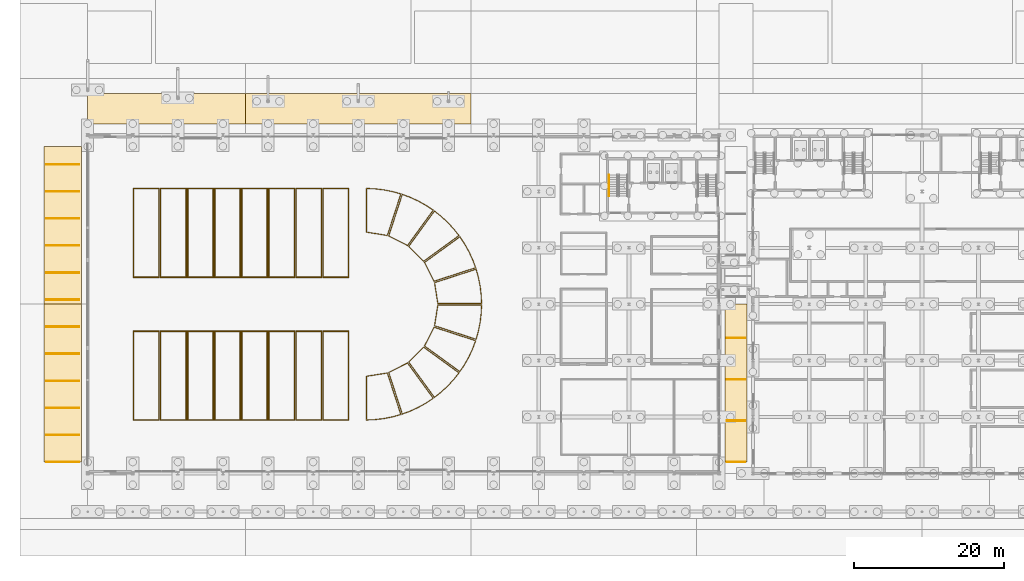
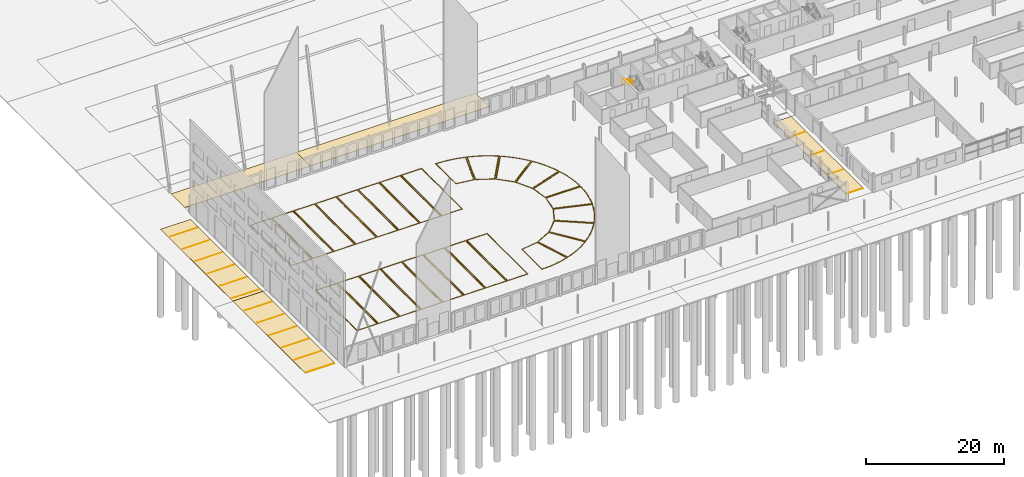
# One storey, part 106 of 130: 47 coverings, 1 railing.
"""IFC4 building model written with IfcOpenShell, lengths in metres."""

import ifcopenshell
import ifcopenshell.guid

model = None  # the IFC model being written
_history = None  # IfcOwnerHistory: only IFC2X3 demands one
_inside = {}  # id of a spatial element -> (the spatial element, [elements in it])
_under = {}  # id of a project, library or spatial element -> (it, [spatial elements below it])
_declared = {}  # id of a project -> (the project, [libraries it declares])
_typed = {}  # id of a type object -> (the type object, [elements of that type])
_made_of = {}  # id of a material, layer set ... -> (it, [elements and type objects made of it])


def new_model(schema):
    """Start an empty IFC model of exactly this schema.

    Asked for "IFC4X3", IfcOpenShell would pick the latest addendum, in which some entities
    have other attributes; the version numbers below select the first issue.
    IFC2X3 requires an IfcOwnerHistory on every rooted entity: one is made here for all.
    """
    global model, _history
    if schema == "IFC4X3":
        model = ifcopenshell.file(schema_version=(4, 3, 0, 0))
    else:
        model = ifcopenshell.file(schema=schema)
    _inside.clear()
    _under.clear()
    _declared.clear()
    _typed.clear()
    _made_of.clear()
    _history = None
    if model.schema == "IFC2X3":
        org = make("IfcOrganization", Name="unknown")
        user = make(
            "IfcPersonAndOrganization",
            ThePerson=make("IfcPerson", FamilyName="unknown"),
            TheOrganization=org,
        )
        app = make(
            "IfcApplication",
            ApplicationDeveloper=org,
            Version="unknown",
            ApplicationFullName="unknown",
            ApplicationIdentifier="unknown",
        )
        _history = make(
            "IfcOwnerHistory",
            OwningUser=user,
            OwningApplication=app,
            ChangeAction="ADDED",
            CreationDate=0,
        )
    return model


def make(cls, **values):
    """One entity of the class cls with the attributes given. An attribute that is None is left unset."""
    return model.create_entity(
        cls, **{name: value for name, value in values.items() if value is not None}
    )


def rooted(cls, **values):
    """An entity with a GlobalId (a new one), such as an element, a storey or a relation."""
    return make(cls, GlobalId=ifcopenshell.guid.new(), OwnerHistory=_history, **values)


def si_unit(unit_type, name, prefix=None):
    """IfcSIUnit, for example si_unit("LENGTHUNIT", "METRE", prefix="MILLI")."""
    return make("IfcSIUnit", UnitType=unit_type, Prefix=prefix, Name=name)


def assignment(units):
    """IfcUnitAssignment: the units of a project."""
    return None if units is None else make("IfcUnitAssignment", Units=units)


def point(xyz):
    """IfcCartesianPoint."""
    return None if xyz is None else make("IfcCartesianPoint", Coordinates=xyz)


def direction(xyz):
    """IfcDirection."""
    return None if xyz is None else make("IfcDirection", DirectionRatios=xyz)


def frame(location, z_axis=None, x_axis=None):
    """IfcAxis2Placement3D, a coordinate frame: its origin and axes. An axis left out is left unset."""
    return make(
        "IfcAxis2Placement3D",
        Location=point(location),
        Axis=direction(z_axis),
        RefDirection=direction(x_axis),
    )


def frame_2d(location, x_axis=None):
    """IfcAxis2Placement2D, a coordinate frame in the plane: its origin and x axis."""
    return make(
        "IfcAxis2Placement2D", Location=point(location), RefDirection=direction(x_axis)
    )


def origin():
    """The frame at (0, 0, 0) with its axes left unset."""
    return frame((0.0, 0.0, 0.0))


def origin_2d():
    """The frame at (0, 0) in the plane with its x axis left unset."""
    return frame_2d((0.0, 0.0))


def place(relative_to, where):
    """IfcLocalPlacement: puts the frame where relative to a parent placement (None: the world)."""
    return make(
        "IfcLocalPlacement", PlacementRelTo=relative_to, RelativePlacement=where
    )


def context(
    kind, dimensions, precision=None, world=None, true_north=None, identifier=None
):
    """IfcGeometricRepresentationContext, for example the 3D "Model" context."""
    return make(
        "IfcGeometricRepresentationContext",
        ContextIdentifier=identifier,
        ContextType=kind,
        CoordinateSpaceDimension=dimensions,
        Precision=precision,
        WorldCoordinateSystem=world,
        TrueNorth=true_north,
    )


def subcontext(parent, identifier, kind, view, scale=None):
    """IfcGeometricRepresentationSubContext, for example "Body" below "Model"."""
    return make(
        "IfcGeometricRepresentationSubContext",
        ContextIdentifier=identifier,
        ContextType=kind,
        ParentContext=parent,
        TargetScale=scale,
        TargetView=view,
    )


def project(units=None, contexts=None):
    """IfcProject with its units and contexts."""
    return rooted(
        "IfcProject",
        Name="project",
        RepresentationContexts=contexts,
        UnitsInContext=assignment(units),
    )


def spatial(cls, under=None, at=None, **own):
    """A site, building, storey or space (cls), placed at a placement, below another one or the project."""
    s = rooted(cls, ObjectPlacement=at, **own)
    if under is not None:
        _under.setdefault(under.id(), (under, []))[1].append(s)
    return s


def polyline(points):
    """IfcPolyline through the points."""
    return make("IfcPolyline", Points=[point(p) for p in points])


def profile(cls, at=None, kind="AREA", **sizes):
    """A parametric profile (cls). Its sizes go by their IFC names, for example OverallWidth=200.0."""
    return make(cls, ProfileType=kind, Position=at, **sizes)


def circle(**sizes):
    """IfcCircleProfileDef."""
    return profile("IfcCircleProfileDef", **sizes)


def outline(outer, holes=None, kind="AREA"):
    """IfcArbitraryClosedProfileDef: a profile drawn as a closed curve; with holes, ...WithVoids."""
    if holes is None:
        return make("IfcArbitraryClosedProfileDef", ProfileType=kind, OuterCurve=outer)
    return make(
        "IfcArbitraryProfileDefWithVoids",
        ProfileType=kind,
        OuterCurve=outer,
        InnerCurves=holes,
    )


def extrude(swept, where, along, depth):
    """IfcExtrudedAreaSolid: the profile swept, set in the frame where, extruded along a direction by depth."""
    return make(
        "IfcExtrudedAreaSolid",
        SweptArea=swept,
        Position=where,
        ExtrudedDirection=direction(along),
        Depth=depth,
    )


def shape(context_of_items, identifier, shape_type, items):
    """IfcShapeRepresentation: the items that make up one representation, for example the "Body"."""
    return make(
        "IfcShapeRepresentation",
        ContextOfItems=context_of_items,
        RepresentationIdentifier=identifier,
        RepresentationType=shape_type,
        Items=items,
    )


def material(Name=None, Category=None):
    """IfcMaterial."""
    return make("IfcMaterial", Name=Name, Category=Category)


def layer(
    of_material, thickness, ventilated=None, Name=None, Category=None, Priority=None
):
    """IfcMaterialLayer: one layer of a wall or slab, of a material (None: an air gap)."""
    return make(
        "IfcMaterialLayer",
        Material=of_material,
        LayerThickness=thickness,
        IsVentilated=ventilated,
        Name=Name,
        Category=Category,
        Priority=Priority,
    )


def layer_set(layers, Name=None):
    """IfcMaterialLayerSet."""
    return make("IfcMaterialLayerSet", MaterialLayers=layers, LayerSetName=Name)


def made_of(thing, what):
    """Note that an element or type object is made of a material, layer set ...; save() writes the relation."""
    if what is not None:
        _made_of.setdefault(what.id(), (what, []))[1].append(thing)
    return thing


def type_object(cls, material=None, **own):
    """A type object (cls), such as IfcWallType, which elements share."""
    return made_of(rooted(cls, **own), material)


def element(
    cls,
    number,
    at=None,
    inside=None,
    cuts=None,
    type_object=None,
    material=None,
    context=None,
    identifier="Body",
    shape_type=None,
    held_by="IfcProductDefinitionShape",
    body=None,
    shapes=None,
    **own,
):
    """One element of the class cls, such as IfcWall. Its Tag is "e" and its number.

    at: its placement. inside: the storey or other place that contains it. cuts: it is an
    opening in that element (IfcRelVoidsElement). A single representation is given by context,
    identifier, shape_type and body (its items); several are given by shapes. held_by: the class
    of the entity that holds the representations. save() writes the other relations.
    """
    e = rooted(cls, Tag="e%d" % number, ObjectPlacement=at, **own)
    if body is not None:
        shapes = [shape(context, identifier, shape_type, body)]
    if shapes is not None:
        e.Representation = make(held_by, Representations=shapes)
    if inside is not None:
        _inside.setdefault(inside.id(), (inside, []))[1].append(e)
    if cuts is not None:
        rooted(
            "IfcRelVoidsElement", RelatingBuildingElement=cuts, RelatedOpeningElement=e
        )
    if type_object is not None:
        _typed.setdefault(type_object.id(), (type_object, []))[1].append(e)
    return made_of(e, material)


def aggregate(whole, parts):
    """IfcRelAggregates: a whole, such as a stair, and the parts it consists of."""
    return rooted("IfcRelAggregates", RelatingObject=whole, RelatedObjects=parts)


def save(model, path):
    """Write the relations noted so far, then the file.

    IfcRelAggregates (storeys below a building ...), IfcRelContainedInSpatialStructure (elements
    in a storey), IfcRelDefinesByType, IfcRelAssociatesMaterial and IfcRelDeclares: one each for
    every whole, place, type object, material and project.
    """
    for whole, parts in _under.values():
        aggregate(whole, parts)
    for where, things in _inside.values():
        rooted(
            "IfcRelContainedInSpatialStructure",
            RelatedElements=things,
            RelatingStructure=where,
        )
    for kind, things in _typed.values():
        rooted("IfcRelDefinesByType", RelatedObjects=things, RelatingType=kind)
    for what, things in _made_of.values():
        rooted("IfcRelAssociatesMaterial", RelatedObjects=things, RelatingMaterial=what)
    for by, libraries in _declared.values():
        rooted("IfcRelDeclares", RelatingContext=by, RelatedDefinitions=libraries)
    model.write(path)


model = new_model("IFC4")

# Units and contexts
model_context = context("Model", 3, precision=1e-05, world=origin(), true_north=direction((0.0, 1.0)))
body_context = subcontext(model_context, "Body", "Model", "MODEL_VIEW")
ifc_project = project(units=[si_unit("LENGTHUNIT", "METRE"), si_unit("AREAUNIT", "SQUARE_METRE"), si_unit("VOLUMEUNIT", "CUBIC_METRE"), si_unit("PLANEANGLEUNIT", "RADIAN"), si_unit("MASSUNIT", "GRAM", prefix="KILO")], contexts=[model_context])

# Site, building, storey
site_placement = place(None, origin())
site = spatial("IfcSite", under=ifc_project, at=site_placement, CompositionType="ELEMENT")
building_placement = place(site_placement, origin())
building = spatial("IfcBuilding", under=site, at=building_placement, Name="Parallax Yard Mobility Hub", CompositionType="ELEMENT")
storey_placement = place(building_placement, origin())
storey = spatial("IfcBuildingStorey", under=building, at=storey_placement, Name="L00", CompositionType="ELEMENT", Elevation=0.0)

# Coverings
ifc_material_1 = material(Name="Thermoplastic road marking")
ifc_layer_1 = layer(ifc_material_1, 0.0048828125)
ifc_layer_set_1 = layer_set([ifc_layer_1], Name="Bay marking strip 5")
covering_type_1 = type_object("IfcCoveringType", Name="Bay marking strip 5", PredefinedType="USERDEFINED", material=ifc_layer_set_1)
covering_1_placement = place(storey_placement, frame((0.0, 0.0, 0.0400390625)))
element("IfcCovering", 1, at=covering_1_placement, inside=storey, type_object=covering_type_1, Name="Bus forecourt bay line 1", ObjectType="ROAD MARKING", PredefinedType="USERDEFINED", context=body_context, shape_type="SweptSolid", body=[
    extrude(outline(polyline([(7.89990234375, 8.949951171875), (7.89990234375, 9.050048828125), (3.5, 9.050048828125), (3.5, 8.949951171875), (7.89990234375, 8.949951171875)])), origin(), (0.0, 0.0, 1.0), 0.0048828125),
])
covering_2_placement = place(storey_placement, frame((0.0, 0.0, 0.0400390625)))
element("IfcCovering", 2, at=covering_2_placement, inside=storey, type_object=covering_type_1, Name="Bus forecourt bay line 2", ObjectType="ROAD MARKING", PredefinedType="USERDEFINED", context=body_context, shape_type="SweptSolid", body=[
    extrude(outline(polyline([(7.89990234375, 12.550048828125), (7.89990234375, 12.64990234375), (3.5, 12.64990234375), (3.5, 12.550048828125), (7.89990234375, 12.550048828125)])), origin(), (0.0, 0.0, 1.0), 0.0048828125),
])
covering_3_placement = place(storey_placement, frame((0.0, 0.0, 0.0400390625)))
element("IfcCovering", 3, at=covering_3_placement, inside=storey, type_object=covering_type_1, Name="Bus forecourt bay line 3", ObjectType="ROAD MARKING", PredefinedType="USERDEFINED", context=body_context, shape_type="SweptSolid", body=[
    extrude(outline(polyline([(7.89990234375, 16.14990234375), (7.89990234375, 16.25), (3.5, 16.25), (3.5, 16.14990234375), (7.89990234375, 16.14990234375)])), origin(), (0.0, 0.0, 1.0), 0.0048828125),
])
covering_4_placement = place(storey_placement, frame((0.0, 0.0, 0.0400390625)))
element("IfcCovering", 4, at=covering_4_placement, inside=storey, type_object=covering_type_1, Name="Bus forecourt bay line 4", ObjectType="ROAD MARKING", PredefinedType="USERDEFINED", context=body_context, shape_type="SweptSolid", body=[
    extrude(outline(polyline([(7.89990234375, 19.75), (7.89990234375, 19.85009765625), (3.5, 19.85009765625), (3.5, 19.75), (7.89990234375, 19.75)])), origin(), (0.0, 0.0, 1.0), 0.0048828125),
])
covering_5_placement = place(storey_placement, frame((0.0, 0.0, 0.0400390625)))
element("IfcCovering", 5, at=covering_5_placement, inside=storey, type_object=covering_type_1, Name="Bus forecourt bay line 5", ObjectType="ROAD MARKING", PredefinedType="USERDEFINED", context=body_context, shape_type="SweptSolid", body=[
    extrude(outline(polyline([(7.89990234375, 23.35009765625), (7.89990234375, 23.449951171875), (3.5, 23.449951171875), (3.5, 23.35009765625), (7.89990234375, 23.35009765625)])), origin(), (0.0, 0.0, 1.0), 0.0048828125),
])
covering_6_placement = place(storey_placement, frame((0.0, 0.0, 0.0400390625)))
element("IfcCovering", 6, at=covering_6_placement, inside=storey, type_object=covering_type_1, Name="Bus forecourt bay line 6", ObjectType="ROAD MARKING", PredefinedType="USERDEFINED", context=body_context, shape_type="SweptSolid", body=[
    extrude(outline(polyline([(7.89990234375, 26.949951171875), (7.89990234375, 27.050048828125), (3.5, 27.050048828125), (3.5, 26.949951171875), (7.89990234375, 26.949951171875)])), origin(), (0.0, 0.0, 1.0), 0.0048828125),
])
covering_7_placement = place(storey_placement, frame((0.0, 0.0, 0.0400390625)))
element("IfcCovering", 7, at=covering_7_placement, inside=storey, type_object=covering_type_1, Name="Bus forecourt bay line 7", ObjectType="ROAD MARKING", PredefinedType="USERDEFINED", context=body_context, shape_type="SweptSolid", body=[
    extrude(outline(polyline([(7.89990234375, 30.550048828125), (7.89990234375, 30.64990234375), (3.5, 30.64990234375), (3.5, 30.550048828125), (7.89990234375, 30.550048828125)])), origin(), (0.0, 0.0, 1.0), 0.0048828125),
])
covering_8_placement = place(storey_placement, frame((0.0, 0.0, 0.0400390625)))
element("IfcCovering", 8, at=covering_8_placement, inside=storey, type_object=covering_type_1, Name="Bus forecourt bay line 8", ObjectType="ROAD MARKING", PredefinedType="USERDEFINED", context=body_context, shape_type="SweptSolid", body=[
    extrude(outline(polyline([(7.89990234375, 34.14990234375), (7.89990234375, 34.25), (3.5, 34.25), (3.5, 34.14990234375), (7.89990234375, 34.14990234375)])), origin(), (0.0, 0.0, 1.0), 0.0048828125),
])
covering_9_placement = place(storey_placement, frame((0.0, 0.0, 0.0400390625)))
element("IfcCovering", 9, at=covering_9_placement, inside=storey, type_object=covering_type_1, Name="Bus forecourt bay line 9", ObjectType="ROAD MARKING", PredefinedType="USERDEFINED", context=body_context, shape_type="SweptSolid", body=[
    extrude(outline(polyline([(7.89990234375, 37.75), (7.89990234375, 37.85009765625), (3.5, 37.85009765625), (3.5, 37.75), (7.89990234375, 37.75)])), origin(), (0.0, 0.0, 1.0), 0.0048828125),
])
covering_10_placement = place(storey_placement, frame((0.0, 0.0, 0.0400390625)))
element("IfcCovering", 10, at=covering_10_placement, inside=storey, type_object=covering_type_1, Name="Bus forecourt bay line 10", ObjectType="ROAD MARKING", PredefinedType="USERDEFINED", context=body_context, shape_type="SweptSolid", body=[
    extrude(outline(polyline([(7.89990234375, 41.35009765625), (7.89990234375, 41.449951171875), (3.5, 41.449951171875), (3.5, 41.35009765625), (7.89990234375, 41.35009765625)])), origin(), (0.0, 0.0, 1.0), 0.0048828125),
])
covering_11_placement = place(storey_placement, frame((0.0, 0.0, 0.0400390625)))
element("IfcCovering", 11, at=covering_11_placement, inside=storey, type_object=covering_type_1, Name="Bus forecourt bay line 11", ObjectType="ROAD MARKING", PredefinedType="USERDEFINED", context=body_context, shape_type="SweptSolid", body=[
    extrude(outline(polyline([(7.89990234375, 44.949951171875), (7.89990234375, 45.050048828125), (3.5, 45.050048828125), (3.5, 44.949951171875), (7.89990234375, 44.949951171875)])), origin(), (0.0, 0.0, 1.0), 0.0048828125),
])
covering_12_placement = place(storey_placement, frame((0.0, 0.0, 0.0400390625)))
element("IfcCovering", 12, at=covering_12_placement, inside=storey, type_object=covering_type_1, Name="Bus forecourt bay line 12", ObjectType="ROAD MARKING", PredefinedType="USERDEFINED", context=body_context, shape_type="SweptSolid", body=[
    extrude(outline(polyline([(7.89990234375, 48.550048828125), (7.89990234375, 48.64990234375), (3.5, 48.64990234375), (3.5, 48.550048828125), (7.89990234375, 48.550048828125)])), origin(), (0.0, 0.0, 1.0), 0.0048828125),
])
covering_13_placement = place(storey_placement, frame((0.0, 0.0, 0.0400390625)))
element("IfcCovering", 13, at=covering_13_placement, inside=storey, type_object=covering_type_1, Name="Taxi rank bay line 1", ObjectType="ROAD MARKING", PredefinedType="USERDEFINED", context=body_context, shape_type="SweptSolid", body=[
    extrude(outline(polyline([(96.5, 8.949951171875), (96.5, 9.050048828125), (94.0, 9.050048828125), (94.0, 8.949951171875), (96.5, 8.949951171875)])), origin(), (0.0, 0.0, 1.0), 0.0048828125),
])
covering_14_placement = place(storey_placement, frame((0.0, 0.0, 0.0400390625)))
element("IfcCovering", 14, at=covering_14_placement, inside=storey, type_object=covering_type_1, Name="Taxi rank bay line 2", ObjectType="ROAD MARKING", PredefinedType="USERDEFINED", context=body_context, shape_type="SweptSolid", body=[
    extrude(outline(polyline([(96.5, 14.449951171875), (96.5, 14.550048828125), (94.0, 14.550048828125), (94.0, 14.449951171875), (96.5, 14.449951171875)])), origin(), (0.0, 0.0, 1.0), 0.0048828125),
])
covering_15_placement = place(storey_placement, frame((0.0, 0.0, 0.0400390625)))
element("IfcCovering", 15, at=covering_15_placement, inside=storey, type_object=covering_type_1, Name="Taxi rank bay line 3", ObjectType="ROAD MARKING", PredefinedType="USERDEFINED", context=body_context, shape_type="SweptSolid", body=[
    extrude(outline(polyline([(96.5, 19.949951171875), (96.5, 20.050048828125), (94.0, 20.050048828125), (94.0, 19.949951171875), (96.5, 19.949951171875)])), origin(), (0.0, 0.0, 1.0), 0.0048828125),
])
covering_16_placement = place(storey_placement, frame((0.0, 0.0, 0.0400390625)))
element("IfcCovering", 16, at=covering_16_placement, inside=storey, type_object=covering_type_1, Name="Taxi rank bay line 4", ObjectType="ROAD MARKING", PredefinedType="USERDEFINED", context=body_context, shape_type="SweptSolid", body=[
    extrude(outline(polyline([(96.5, 25.449951171875), (96.5, 25.550048828125), (94.0, 25.550048828125), (94.0, 25.449951171875), (96.5, 25.449951171875)])), origin(), (0.0, 0.0, 1.0), 0.0048828125),
])
covering_17_placement = place(storey_placement, origin())
element("IfcCovering", 17, at=covering_17_placement, inside=storey, type_object=covering_type_1, Name="Bus bay marking 1", ObjectType="ROAD MARKING", PredefinedType="USERDEFINED", context=body_context, shape_type="SweptSolid", body=[
    extrude(outline(polyline([(15.050048828125, 14.550048828125), (15.050048828125, 26.449951171875), (18.550048828125, 26.449951171875), (18.550048828125, 14.550048828125), (15.050048828125, 14.550048828125)]), holes=[polyline([(15.14990234375, 14.64990234375), (15.14990234375, 26.35009765625), (18.449951171875, 26.35009765625), (18.449951171875, 14.64990234375), (15.14990234375, 14.64990234375)])]), origin(), (0.0, 0.0, 1.0), 0.0048828125),
])
covering_18_placement = place(storey_placement, origin())
element("IfcCovering", 18, at=covering_18_placement, inside=storey, type_object=covering_type_1, Name="Bus bay marking 2", ObjectType="ROAD MARKING", PredefinedType="USERDEFINED", context=body_context, shape_type="SweptSolid", body=[
    extrude(outline(polyline([(18.64990234375, 14.550048828125), (18.64990234375, 26.449951171875), (22.14990234375, 26.449951171875), (22.14990234375, 14.550048828125), (18.64990234375, 14.550048828125)]), holes=[polyline([(18.75, 14.64990234375), (18.75, 26.35009765625), (22.050048828125, 26.35009765625), (22.050048828125, 14.64990234375), (18.75, 14.64990234375)])]), origin(), (0.0, 0.0, 1.0), 0.0048828125),
])
covering_19_placement = place(storey_placement, origin())
element("IfcCovering", 19, at=covering_19_placement, inside=storey, type_object=covering_type_1, Name="Bus bay marking 3", ObjectType="ROAD MARKING", PredefinedType="USERDEFINED", context=body_context, shape_type="SweptSolid", body=[
    extrude(outline(polyline([(22.25, 14.550048828125), (22.25, 26.449951171875), (25.75, 26.449951171875), (25.75, 14.550048828125), (22.25, 14.550048828125)]), holes=[polyline([(22.35009765625, 14.64990234375), (22.35009765625, 26.35009765625), (25.64990234375, 26.35009765625), (25.64990234375, 14.64990234375), (22.35009765625, 14.64990234375)])]), origin(), (0.0, 0.0, 1.0), 0.0048828125),
])
covering_20_placement = place(storey_placement, origin())
element("IfcCovering", 20, at=covering_20_placement, inside=storey, type_object=covering_type_1, Name="Bus bay marking 4", ObjectType="ROAD MARKING", PredefinedType="USERDEFINED", context=body_context, shape_type="SweptSolid", body=[
    extrude(outline(polyline([(25.85009765625, 14.550048828125), (25.85009765625, 26.449951171875), (29.35009765625, 26.449951171875), (29.35009765625, 14.550048828125), (25.85009765625, 14.550048828125)]), holes=[polyline([(25.949951171875, 14.64990234375), (25.949951171875, 26.35009765625), (29.25, 26.35009765625), (29.25, 14.64990234375), (25.949951171875, 14.64990234375)])]), origin(), (0.0, 0.0, 1.0), 0.0048828125),
])
covering_21_placement = place(storey_placement, origin())
element("IfcCovering", 21, at=covering_21_placement, inside=storey, type_object=covering_type_1, Name="Bus bay marking 5", ObjectType="ROAD MARKING", PredefinedType="USERDEFINED", context=body_context, shape_type="SweptSolid", body=[
    extrude(outline(polyline([(29.449951171875, 14.550048828125), (29.449951171875, 26.449951171875), (32.949951171875, 26.449951171875), (32.949951171875, 14.550048828125), (29.449951171875, 14.550048828125)]), holes=[polyline([(29.550048828125, 14.64990234375), (29.550048828125, 26.35009765625), (32.85009765625, 26.35009765625), (32.85009765625, 14.64990234375), (29.550048828125, 14.64990234375)])]), origin(), (0.0, 0.0, 1.0), 0.0048828125),
])
covering_22_placement = place(storey_placement, origin())
element("IfcCovering", 22, at=covering_22_placement, inside=storey, type_object=covering_type_1, Name="Bus bay marking 6", ObjectType="ROAD MARKING", PredefinedType="USERDEFINED", context=body_context, shape_type="SweptSolid", body=[
    extrude(outline(polyline([(33.050048828125, 14.550048828125), (33.050048828125, 26.449951171875), (36.550048828125, 26.449951171875), (36.550048828125, 14.550048828125), (33.050048828125, 14.550048828125)]), holes=[polyline([(33.14990234375, 14.64990234375), (33.14990234375, 26.35009765625), (36.449951171875, 26.35009765625), (36.449951171875, 14.64990234375), (33.14990234375, 14.64990234375)])]), origin(), (0.0, 0.0, 1.0), 0.0048828125),
])
covering_23_placement = place(storey_placement, origin())
element("IfcCovering", 23, at=covering_23_placement, inside=storey, type_object=covering_type_1, Name="Bus bay marking 7", ObjectType="ROAD MARKING", PredefinedType="USERDEFINED", context=body_context, shape_type="SweptSolid", body=[
    extrude(outline(polyline([(36.64990234375, 14.550048828125), (36.64990234375, 26.449951171875), (40.14990234375, 26.449951171875), (40.14990234375, 14.550048828125), (36.64990234375, 14.550048828125)]), holes=[polyline([(36.75, 14.64990234375), (36.75, 26.35009765625), (40.050048828125, 26.35009765625), (40.050048828125, 14.64990234375), (36.75, 14.64990234375)])]), origin(), (0.0, 0.0, 1.0), 0.0048828125),
])
covering_24_placement = place(storey_placement, origin())
element("IfcCovering", 24, at=covering_24_placement, inside=storey, type_object=covering_type_1, Name="Bus bay marking 8", ObjectType="ROAD MARKING", PredefinedType="USERDEFINED", context=body_context, shape_type="SweptSolid", body=[
    extrude(outline(polyline([(40.25, 14.550048828125), (40.25, 26.449951171875), (43.75, 26.449951171875), (43.75, 14.550048828125), (40.25, 14.550048828125)]), holes=[polyline([(40.35009765625, 14.64990234375), (40.35009765625, 26.35009765625), (43.64990234375, 26.35009765625), (43.64990234375, 14.64990234375), (40.35009765625, 14.64990234375)])]), origin(), (0.0, 0.0, 1.0), 0.0048828125),
])
covering_25_placement = place(storey_placement, origin())
element("IfcCovering", 25, at=covering_25_placement, inside=storey, type_object=covering_type_1, Name="Bus bay marking 9", ObjectType="ROAD MARKING", PredefinedType="USERDEFINED", context=body_context, shape_type="SweptSolid", body=[
    extrude(outline(polyline([(15.050048828125, 33.550048828125), (15.050048828125, 45.449951171875), (18.550048828125, 45.449951171875), (18.550048828125, 33.550048828125), (15.050048828125, 33.550048828125)]), holes=[polyline([(15.14990234375, 33.64990234375), (15.14990234375, 45.35009765625), (18.449951171875, 45.35009765625), (18.449951171875, 33.64990234375), (15.14990234375, 33.64990234375)])]), origin(), (0.0, 0.0, 1.0), 0.0048828125),
])
covering_26_placement = place(storey_placement, origin())
element("IfcCovering", 26, at=covering_26_placement, inside=storey, type_object=covering_type_1, Name="Bus bay marking 10", ObjectType="ROAD MARKING", PredefinedType="USERDEFINED", context=body_context, shape_type="SweptSolid", body=[
    extrude(outline(polyline([(18.64990234375, 33.550048828125), (18.64990234375, 45.449951171875), (22.14990234375, 45.449951171875), (22.14990234375, 33.550048828125), (18.64990234375, 33.550048828125)]), holes=[polyline([(18.75, 33.64990234375), (18.75, 45.35009765625), (22.050048828125, 45.35009765625), (22.050048828125, 33.64990234375), (18.75, 33.64990234375)])]), origin(), (0.0, 0.0, 1.0), 0.0048828125),
])
covering_27_placement = place(storey_placement, origin())
element("IfcCovering", 27, at=covering_27_placement, inside=storey, type_object=covering_type_1, Name="Bus bay marking 11", ObjectType="ROAD MARKING", PredefinedType="USERDEFINED", context=body_context, shape_type="SweptSolid", body=[
    extrude(outline(polyline([(22.25, 33.550048828125), (22.25, 45.449951171875), (25.75, 45.449951171875), (25.75, 33.550048828125), (22.25, 33.550048828125)]), holes=[polyline([(22.35009765625, 33.64990234375), (22.35009765625, 45.35009765625), (25.64990234375, 45.35009765625), (25.64990234375, 33.64990234375), (22.35009765625, 33.64990234375)])]), origin(), (0.0, 0.0, 1.0), 0.0048828125),
])
covering_28_placement = place(storey_placement, origin())
element("IfcCovering", 28, at=covering_28_placement, inside=storey, type_object=covering_type_1, Name="Bus bay marking 12", ObjectType="ROAD MARKING", PredefinedType="USERDEFINED", context=body_context, shape_type="SweptSolid", body=[
    extrude(outline(polyline([(25.85009765625, 33.550048828125), (25.85009765625, 45.449951171875), (29.35009765625, 45.449951171875), (29.35009765625, 33.550048828125), (25.85009765625, 33.550048828125)]), holes=[polyline([(25.949951171875, 33.64990234375), (25.949951171875, 45.35009765625), (29.25, 45.35009765625), (29.25, 33.64990234375), (25.949951171875, 33.64990234375)])]), origin(), (0.0, 0.0, 1.0), 0.0048828125),
])
covering_29_placement = place(storey_placement, origin())
element("IfcCovering", 29, at=covering_29_placement, inside=storey, type_object=covering_type_1, Name="Bus bay marking 13", ObjectType="ROAD MARKING", PredefinedType="USERDEFINED", context=body_context, shape_type="SweptSolid", body=[
    extrude(outline(polyline([(29.449951171875, 33.550048828125), (29.449951171875, 45.449951171875), (32.949951171875, 45.449951171875), (32.949951171875, 33.550048828125), (29.449951171875, 33.550048828125)]), holes=[polyline([(29.550048828125, 33.64990234375), (29.550048828125, 45.35009765625), (32.85009765625, 45.35009765625), (32.85009765625, 33.64990234375), (29.550048828125, 33.64990234375)])]), origin(), (0.0, 0.0, 1.0), 0.0048828125),
])
covering_30_placement = place(storey_placement, origin())
element("IfcCovering", 30, at=covering_30_placement, inside=storey, type_object=covering_type_1, Name="Bus bay marking 14", ObjectType="ROAD MARKING", PredefinedType="USERDEFINED", context=body_context, shape_type="SweptSolid", body=[
    extrude(outline(polyline([(33.050048828125, 33.550048828125), (33.050048828125, 45.449951171875), (36.550048828125, 45.449951171875), (36.550048828125, 33.550048828125), (33.050048828125, 33.550048828125)]), holes=[polyline([(33.14990234375, 33.64990234375), (33.14990234375, 45.35009765625), (36.449951171875, 45.35009765625), (36.449951171875, 33.64990234375), (33.14990234375, 33.64990234375)])]), origin(), (0.0, 0.0, 1.0), 0.0048828125),
])
covering_31_placement = place(storey_placement, origin())
element("IfcCovering", 31, at=covering_31_placement, inside=storey, type_object=covering_type_1, Name="Bus bay marking 15", ObjectType="ROAD MARKING", PredefinedType="USERDEFINED", context=body_context, shape_type="SweptSolid", body=[
    extrude(outline(polyline([(36.64990234375, 33.550048828125), (36.64990234375, 45.449951171875), (40.14990234375, 45.449951171875), (40.14990234375, 33.550048828125), (36.64990234375, 33.550048828125)]), holes=[polyline([(36.75, 33.64990234375), (36.75, 45.35009765625), (40.050048828125, 45.35009765625), (40.050048828125, 33.64990234375), (36.75, 33.64990234375)])]), origin(), (0.0, 0.0, 1.0), 0.0048828125),
])
covering_32_placement = place(storey_placement, origin())
element("IfcCovering", 32, at=covering_32_placement, inside=storey, type_object=covering_type_1, Name="Bus bay marking 16", ObjectType="ROAD MARKING", PredefinedType="USERDEFINED", context=body_context, shape_type="SweptSolid", body=[
    extrude(outline(polyline([(40.25, 33.550048828125), (40.25, 45.449951171875), (43.75, 45.449951171875), (43.75, 33.550048828125), (40.25, 33.550048828125)]), holes=[polyline([(40.35009765625, 33.64990234375), (40.35009765625, 45.35009765625), (43.64990234375, 45.35009765625), (43.64990234375, 33.64990234375), (40.35009765625, 33.64990234375)])]), origin(), (0.0, 0.0, 1.0), 0.0048828125),
])
covering_33_placement = place(storey_placement, origin())
element("IfcCovering", 33, at=covering_33_placement, inside=storey, type_object=covering_type_1, Name="Taxi bay marking 1", ObjectType="ROAD MARKING", PredefinedType="USERDEFINED", context=body_context, shape_type="SweptSolid", body=[
    extrude(outline(polyline([(46.050048828125, 20.457275390625), (48.9013671875, 20.908935546875), (50.726318359375, 15.29248046875), (49.606689453125, 14.97705078125), (48.4169921875, 14.740234375), (47.212158203125, 14.59765625), (46.050048828125, 14.552001953125), (46.050048828125, 20.457275390625)]), holes=[polyline([(46.14990234375, 20.371826171875), (48.83251953125, 20.796875), (50.598876953125, 15.360595703125), (49.58349609375, 15.07421875), (48.401123046875, 14.839111328125), (47.204345703125, 14.697509765625), (46.14990234375, 14.656005859375), (46.14990234375, 20.371826171875)])]), origin(), (0.0, 0.0, 1.0), 0.0048828125),
])
covering_34_placement = place(storey_placement, origin())
element("IfcCovering", 34, at=covering_34_placement, inside=storey, type_object=covering_type_1, Name="Taxi bay marking 2", ObjectType="ROAD MARKING", PredefinedType="USERDEFINED", context=body_context, shape_type="SweptSolid", body=[
    extrude(outline(polyline([(48.996337890625, 20.939697265625), (51.568603515625, 22.25048828125), (55.039794921875, 17.472900390625), (54.072509765625, 16.826904296875), (53.01416015625, 16.23388671875), (51.91259765625, 15.72607421875), (50.8212890625, 15.323486328125), (48.996337890625, 20.939697265625)]), holes=[polyline([(49.117919921875, 20.889404296875), (51.537841796875, 22.12255859375), (54.897705078125, 17.498291015625), (54.020263671875, 16.912109375), (52.96875, 16.3232421875), (51.874267578125, 15.818603515625), (50.88427734375, 15.453369140625), (49.117919921875, 20.889404296875)])]), origin(), (0.0, 0.0, 1.0), 0.0048828125),
])
covering_35_placement = place(storey_placement, origin())
element("IfcCovering", 35, at=covering_35_placement, inside=storey, type_object=covering_type_1, Name="Taxi bay marking 3", ObjectType="ROAD MARKING", PredefinedType="USERDEFINED", context=body_context, shape_type="SweptSolid", body=[
    extrude(outline(polyline([(51.649658203125, 22.30908203125), (53.69091796875, 24.350341796875), (58.46826171875, 20.87939453125), (57.748291015625, 19.966064453125), (56.9248046875, 19.0751953125), (56.033935546875, 18.251708984375), (55.12060546875, 17.53173828125), (51.649658203125, 22.30908203125)]), holes=[polyline([(51.78076171875, 22.298828125), (53.701171875, 24.21923828125), (58.325439453125, 20.859619140625), (57.672119140625, 20.031005859375), (56.85400390625, 19.14599609375), (55.968994140625, 18.327880859375), (55.140380859375, 17.674560546875), (51.78076171875, 22.298828125)])]), origin(), (0.0, 0.0, 1.0), 0.0048828125),
])
covering_36_placement = place(storey_placement, origin())
element("IfcCovering", 36, at=covering_36_placement, inside=storey, type_object=covering_type_1, Name="Taxi bay marking 4", ObjectType="ROAD MARKING", PredefinedType="USERDEFINED", context=body_context, shape_type="SweptSolid", body=[
    extrude(outline(polyline([(53.74951171875, 24.431396484375), (55.060302734375, 27.003662109375), (60.676513671875, 25.1787109375), (60.27392578125, 24.08740234375), (59.76611328125, 22.98583984375), (59.173095703125, 21.927490234375), (58.527099609375, 20.960205078125), (53.74951171875, 24.431396484375)]), holes=[polyline([(53.87744140625, 24.462158203125), (55.110595703125, 26.882080078125), (60.546630859375, 25.11572265625), (60.181396484375, 24.125732421875), (59.6767578125, 23.03125), (59.087890625, 21.979736328125), (58.501708984375, 21.102294921875), (53.87744140625, 24.462158203125)])]), origin(), (0.0, 0.0, 1.0), 0.0048828125),
])
covering_37_placement = place(storey_placement, origin())
element("IfcCovering", 37, at=covering_37_placement, inside=storey, type_object=covering_type_1, Name="Taxi bay marking 5", ObjectType="ROAD MARKING", PredefinedType="USERDEFINED", context=body_context, shape_type="SweptSolid", body=[
    extrude(outline(polyline([(55.091064453125, 27.0986328125), (55.542724609375, 29.949951171875), (61.447998046875, 29.949951171875), (61.40234375, 28.787841796875), (61.259765625, 27.5830078125), (61.02294921875, 26.393310546875), (60.70751953125, 25.273681640625), (55.091064453125, 27.0986328125)]), holes=[polyline([(55.203125, 27.16748046875), (55.628173828125, 29.85009765625), (61.343994140625, 29.85009765625), (61.302490234375, 28.795654296875), (61.160888671875, 27.598876953125), (60.92578125, 26.41650390625), (60.639404296875, 25.401123046875), (55.203125, 27.16748046875)])]), origin(), (0.0, 0.0, 1.0), 0.0048828125),
])
covering_38_placement = place(storey_placement, origin())
element("IfcCovering", 38, at=covering_38_placement, inside=storey, type_object=covering_type_1, Name="Taxi bay marking 6", ObjectType="ROAD MARKING", PredefinedType="USERDEFINED", context=body_context, shape_type="SweptSolid", body=[
    extrude(outline(polyline([(55.542724609375, 30.050048828125), (55.091064453125, 32.9013671875), (60.70751953125, 34.726318359375), (61.02294921875, 33.606689453125), (61.259765625, 32.4169921875), (61.40234375, 31.212158203125), (61.447998046875, 30.050048828125), (55.542724609375, 30.050048828125)]), holes=[polyline([(55.628173828125, 30.14990234375), (55.203125, 32.83251953125), (60.639404296875, 34.598876953125), (60.92578125, 33.58349609375), (61.160888671875, 32.401123046875), (61.302490234375, 31.204345703125), (61.343994140625, 30.14990234375), (55.628173828125, 30.14990234375)])]), origin(), (0.0, 0.0, 1.0), 0.0048828125),
])
covering_39_placement = place(storey_placement, origin())
element("IfcCovering", 39, at=covering_39_placement, inside=storey, type_object=covering_type_1, Name="Taxi bay marking 7", ObjectType="ROAD MARKING", PredefinedType="USERDEFINED", context=body_context, shape_type="SweptSolid", body=[
    extrude(outline(polyline([(55.060302734375, 32.996337890625), (53.74951171875, 35.568603515625), (58.527099609375, 39.039794921875), (59.173095703125, 38.072509765625), (59.76611328125, 37.01416015625), (60.27392578125, 35.91259765625), (60.676513671875, 34.8212890625), (55.060302734375, 32.996337890625)]), holes=[polyline([(55.110595703125, 33.117919921875), (53.87744140625, 35.537841796875), (58.501708984375, 38.897705078125), (59.087890625, 38.020263671875), (59.6767578125, 36.96875), (60.181396484375, 35.874267578125), (60.546630859375, 34.88427734375), (55.110595703125, 33.117919921875)])]), origin(), (0.0, 0.0, 1.0), 0.0048828125),
])
covering_40_placement = place(storey_placement, origin())
element("IfcCovering", 40, at=covering_40_placement, inside=storey, type_object=covering_type_1, Name="Taxi bay marking 8", ObjectType="ROAD MARKING", PredefinedType="USERDEFINED", context=body_context, shape_type="SweptSolid", body=[
    extrude(outline(polyline([(53.69091796875, 35.649658203125), (51.649658203125, 37.69091796875), (55.12060546875, 42.46826171875), (56.033935546875, 41.748291015625), (56.9248046875, 40.9248046875), (57.748291015625, 40.033935546875), (58.46826171875, 39.12060546875), (53.69091796875, 35.649658203125)]), holes=[polyline([(53.701171875, 35.78076171875), (51.78076171875, 37.701171875), (55.140380859375, 42.325439453125), (55.968994140625, 41.672119140625), (56.85400390625, 40.85400390625), (57.672119140625, 39.968994140625), (58.325439453125, 39.140380859375), (53.701171875, 35.78076171875)])]), origin(), (0.0, 0.0, 1.0), 0.0048828125),
])
covering_41_placement = place(storey_placement, origin())
element("IfcCovering", 41, at=covering_41_placement, inside=storey, type_object=covering_type_1, Name="Taxi bay marking 9", ObjectType="ROAD MARKING", PredefinedType="USERDEFINED", context=body_context, shape_type="SweptSolid", body=[
    extrude(outline(polyline([(51.568603515625, 37.74951171875), (48.996337890625, 39.060302734375), (50.8212890625, 44.676513671875), (51.91259765625, 44.27392578125), (53.01416015625, 43.76611328125), (54.072509765625, 43.173095703125), (55.039794921875, 42.527099609375), (51.568603515625, 37.74951171875)]), holes=[polyline([(51.537841796875, 37.87744140625), (49.117919921875, 39.110595703125), (50.88427734375, 44.546630859375), (51.874267578125, 44.181396484375), (52.96875, 43.6767578125), (54.020263671875, 43.087890625), (54.897705078125, 42.501708984375), (51.537841796875, 37.87744140625)])]), origin(), (0.0, 0.0, 1.0), 0.0048828125),
])
covering_42_placement = place(storey_placement, origin())
element("IfcCovering", 42, at=covering_42_placement, inside=storey, type_object=covering_type_1, Name="Taxi bay marking 10", ObjectType="ROAD MARKING", PredefinedType="USERDEFINED", context=body_context, shape_type="SweptSolid", body=[
    extrude(outline(polyline([(48.9013671875, 39.091064453125), (46.050048828125, 39.542724609375), (46.050048828125, 45.447998046875), (47.212158203125, 45.40234375), (48.4169921875, 45.259765625), (49.606689453125, 45.02294921875), (50.726318359375, 44.70751953125), (48.9013671875, 39.091064453125)]), holes=[polyline([(48.83251953125, 39.203125), (46.14990234375, 39.628173828125), (46.14990234375, 45.343994140625), (47.204345703125, 45.302490234375), (48.401123046875, 45.160888671875), (49.58349609375, 44.92578125), (50.598876953125, 44.639404296875), (48.83251953125, 39.203125)])]), origin(), (0.0, 0.0, 1.0), 0.0048828125),
])
ifc_material_2 = material(Name="Concrete fc' 30 MPa", Category="concrete")
ifc_layer_2 = layer(ifc_material_2, 0.0400390625)
ifc_layer_set_2 = layer_set([ifc_layer_2], Name="Footway paving, Concrete fc' 30 MPa pavers 40")
covering_type_2 = type_object("IfcCoveringType", Name="Footway paving, Concrete fc' 30 MPa pavers 40", PredefinedType="USERDEFINED", material=ifc_layer_set_2)
covering_43_placement = place(storey_placement, origin())
element("IfcCovering", 43, at=covering_43_placement, inside=storey, type_object=covering_type_2, Name="Yard footway south surfacing 1", ObjectType="PAVING", PredefinedType="USERDEFINED", context=body_context, shape_type="SweptSolid", body=[
    extrude(outline(polyline([(30.0, 58.0), (30.0, 54.0), (9.0, 54.0), (9.0, 58.0), (30.0, 58.0)])), origin(), (0.0, 0.0, 1.0), 0.0400390625),
])
covering_44_placement = place(storey_placement, origin())
element("IfcCovering", 44, at=covering_44_placement, inside=storey, type_object=covering_type_2, Name="Yard footway south surfacing 2", ObjectType="PAVING", PredefinedType="USERDEFINED", context=body_context, shape_type="SweptSolid", body=[
    extrude(outline(polyline([(60.0, 58.0), (60.0, 54.0), (30.0, 54.0), (30.0, 58.0), (60.0, 58.0)])), origin(), (0.0, 0.0, 1.0), 0.0400390625),
])
ifc_material_3 = material(Name="Asphalt wearing course")
ifc_layer_3 = layer(ifc_material_3, 0.0400390625)
ifc_layer_set_3 = layer_set([ifc_layer_3], Name="Forecourt surfacing, Asphalt wearing course 40")
covering_type_3 = type_object("IfcCoveringType", Name="Forecourt surfacing, Asphalt wearing course 40", PredefinedType="USERDEFINED", material=ifc_layer_set_3)
covering_45_placement = place(storey_placement, origin())
element("IfcCovering", 45, at=covering_45_placement, inside=storey, type_object=covering_type_3, Name="Bus forecourt surfacing 1", ObjectType="ROADWAY", PredefinedType="USERDEFINED", context=body_context, shape_type="SweptSolid", body=[
    extrude(outline(polyline([(8.199951171875, 9.0), (3.199951171875, 9.0), (3.199951171875, 30.0), (8.199951171875, 30.0), (8.199951171875, 9.0)])), origin(), (0.0, 0.0, 1.0), 0.0400390625),
])
covering_46_placement = place(storey_placement, origin())
element("IfcCovering", 46, at=covering_46_placement, inside=storey, type_object=covering_type_3, Name="Bus forecourt surfacing 2", ObjectType="ROADWAY", PredefinedType="USERDEFINED", context=body_context, shape_type="SweptSolid", body=[
    extrude(outline(polyline([(8.199951171875, 51.0), (8.199951171875, 30.0), (3.199951171875, 30.0), (3.199951171875, 51.0), (8.199951171875, 51.0)])), origin(), (0.0, 0.0, 1.0), 0.0400390625),
])
covering_47_placement = place(storey_placement, origin())
element("IfcCovering", 47, at=covering_47_placement, inside=storey, type_object=covering_type_3, Name="Taxi rank surfacing 1", ObjectType="ROADWAY", PredefinedType="USERDEFINED", context=body_context, shape_type="SweptSolid", body=[
    extrude(outline(polyline([(96.699951171875, 9.0), (93.800048828125, 9.0), (93.800048828125, 30.0), (96.699951171875, 30.0), (96.699951171875, 9.0)])), origin(), (0.0, 0.0, 1.0), 0.0400390625),
])

# Railing
ifc_material_4 = material(Name="Steel ASTM A36", Category="steel")
railing_type = type_object("IfcRailingType", Name="Stair handrail", PredefinedType="HANDRAIL", material=ifc_material_4)
railing_placement = place(storey_placement, frame((78.35009765625, 47.18994140625, 1.81494140625)))
element("IfcRailing", 48, at=railing_placement, inside=storey, type_object=railing_type, Name="L00 ST17 stair handrail 2", PredefinedType="HANDRAIL", context=body_context, shape_type="SweptSolid", body=[
    extrude(circle(Radius=0.02392578125, at=origin_2d()), frame((0.0, 0.0, 0.8310546875), z_axis=(0.0, -0.882735390775, 0.469870439454), x_axis=(1.0, 0.0, 0.0)), (0.0, 0.0, 1.0), 3.16064453125),
    extrude(circle(Radius=0.02099609375, at=origin_2d()), origin(), (0.0, 0.0, 1.0), 0.806884765625),
    extrude(circle(Radius=0.02099609375, at=origin_2d()), frame((0.0, -0.929931640625, 0.4951171875)), (0.0, 0.0, 1.0), 0.806884765625),
    extrude(circle(Radius=0.02099609375, at=origin_2d()), frame((0.0, -1.860107421875, 0.989990234375)), (0.0, 0.0, 1.0), 0.806884765625),
    extrude(circle(Radius=0.02099609375, at=origin_2d()), frame((0.0, -2.7900390625, 1.485107421875)), (0.0, 0.0, 1.0), 0.806884765625),
])

save(model, "model.ifc")
